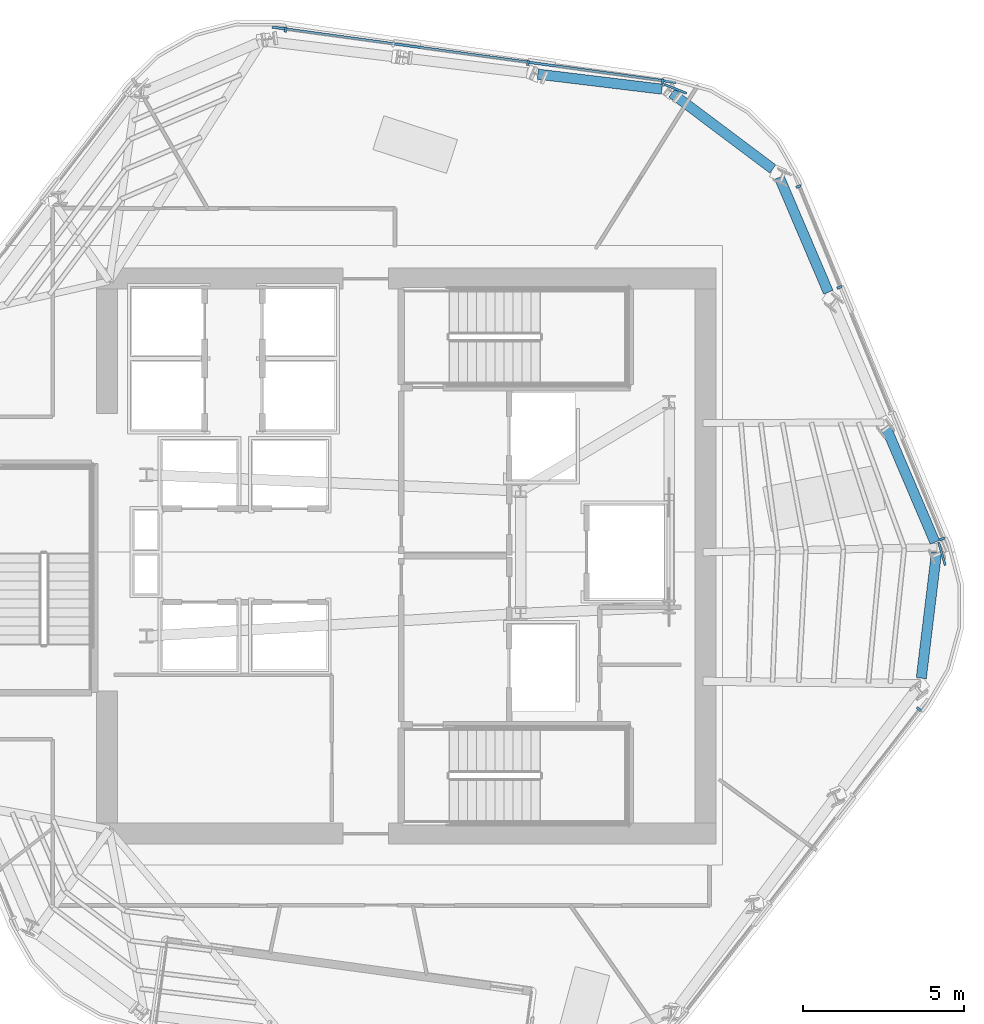
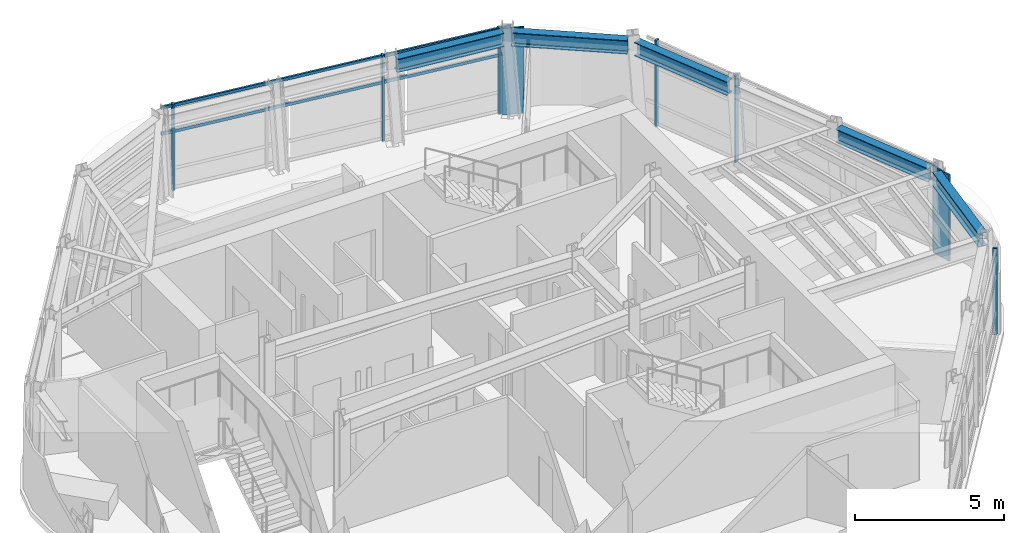
# One storey, part 4 of 12: 11 members, 5 beams, 3 elements without a shape of their own.
"""IFC4 building model written with IfcOpenShell, lengths in metres."""

from ifc_helpers import new_model, si_unit, direction, frame, origin, origin_2d, place, context, subcontext, project, spatial, rectangle, i_section, extrude, material, layer, layer_set, material_profile, profile_set, type_object, element, aggregate, save


model = new_model("IFC4")

# Units and contexts
model_context = context("Model", 3, precision=1e-05, world=origin(), true_north=direction((0.0, 1.0)))
body_context = subcontext(model_context, "Body", "Model", "MODEL_VIEW")
ifc_project = project(units=[si_unit("LENGTHUNIT", "METRE"), si_unit("AREAUNIT", "SQUARE_METRE"), si_unit("VOLUMEUNIT", "CUBIC_METRE"), si_unit("PLANEANGLEUNIT", "RADIAN"), si_unit("MASSUNIT", "GRAM", prefix="KILO")], contexts=[model_context])

# Site, building, storey
site_placement = place(None, origin())
site = spatial("IfcSite", under=ifc_project, at=site_placement, CompositionType="ELEMENT")
building_placement = place(site_placement, origin())
building = spatial("IfcBuilding", under=site, at=building_placement, Name="Valkerne Bourse Tower", CompositionType="ELEMENT")
storey_placement = place(building_placement, frame((0.0, 0.0, 247.39990234375)))
storey = spatial("IfcBuildingStorey", under=building, at=storey_placement, Name="L63", CompositionType="ELEMENT", Elevation=247.39990234375)

# Beams
ifc_material_1 = material(Name="Steel ASTM A992", Category="steel")
ifc_material_profile_1 = material_profile(ifc_material_1, i_section(OverallWidth=0.31494140625, OverallDepth=0.5537109375, WebThickness=0.0166015625, FlangeThickness=0.026123046875, FilletRadius=0.020263671875, at=origin_2d()), Name="W21X132")
ifc_profile_set_1 = profile_set([ifc_material_profile_1], Name="Steel ASTM A992")
beam_type = type_object("IfcBeamType", Name="BM-W21X132", PredefinedType="BEAM", material=ifc_profile_set_1)
beam_1_placement = place(storey_placement, frame((54.7294921875, 41.35009765625, 3.26318359375), z_axis=(-0.992760006473, 0.120114818186, 0.0), x_axis=(-0.120114818186, -0.992760006473, 0.0)))
element("IfcBeam", 1, at=beam_1_placement, inside=storey, type_object=beam_type, Name="L63 Hexagonal Spandrel Ring Beam 00", PredefinedType="BEAM", context=body_context, shape_type="SweptSolid", body=[
    extrude(i_section(OverallWidth=0.31494140625, OverallDepth=0.5537109375, WebThickness=0.0166015625, FlangeThickness=0.026123046875, FilletRadius=0.020263671875, at=origin_2d()), origin(), (0.0, 0.0, 1.0), 3.8720703125),
])
beam_2_placement = place(storey_placement, frame((62.76806640625, 23.095703125, 3.26318359375), z_axis=(0.120150744567, 0.992755659052, 0.0), x_axis=(-0.992755659052, 0.120150744567, 0.0)))
element("IfcBeam", 2, at=beam_2_placement, inside=storey, type_object=beam_type, Name="L63 Hexagonal Spandrel Ring Beam 19", PredefinedType="BEAM", context=body_context, shape_type="SweptSolid", body=[
    extrude(i_section(OverallWidth=0.31494140625, OverallDepth=0.5537109375, WebThickness=0.0166015625, FlangeThickness=0.026123046875, FilletRadius=0.020263671875, at=origin_2d()), origin(), (0.0, 0.0, 1.0), 3.91552734375),
])
beam_3_placement = place(storey_placement, frame((63.192138671875, 27.30810546875, 3.26318359375), z_axis=(-0.392343371279, 0.919818829451, 0.0), x_axis=(-0.919818829451, -0.392343371279, 0.0)))
element("IfcBeam", 3, at=beam_3_placement, inside=storey, type_object=beam_type, Name="L63 Hexagonal Spandrel Ring Beam 20", PredefinedType="BEAM", context=body_context, shape_type="SweptSolid", body=[
    extrude(i_section(OverallWidth=0.31494140625, OverallDepth=0.5537109375, WebThickness=0.0166015625, FlangeThickness=0.026123046875, FilletRadius=0.020263671875, at=origin_2d()), origin(), (0.0, 0.0, 1.0), 3.871826171875),
])
beam_4_placement = place(storey_placement, frame((59.88720703125, 35.056640625, 3.26318359375), z_axis=(-0.392373962855, 0.919805780191, 0.0), x_axis=(-0.919805780191, -0.392373962855, 0.0)))
element("IfcBeam", 4, at=beam_4_placement, inside=storey, type_object=beam_type, Name="L63 Hexagonal Spandrel Ring Beam 22", PredefinedType="BEAM", context=body_context, shape_type="SweptSolid", body=[
    extrude(i_section(OverallWidth=0.31494140625, OverallDepth=0.5537109375, WebThickness=0.0166015625, FlangeThickness=0.026123046875, FilletRadius=0.020263671875, at=origin_2d()), origin(), (0.0, 0.0, 1.0), 3.8720703125),
])
beam_5_placement = place(storey_placement, frame((58.165283203125, 38.876708984375, 3.26318359375), z_axis=(-0.799693112572, 0.600408965377, 0.0), x_axis=(-0.600408965377, -0.799693112572, 0.0)))
element("IfcBeam", 5, at=beam_5_placement, inside=storey, type_object=beam_type, Name="L63 Hexagonal Spandrel Ring Beam 23", PredefinedType="BEAM", context=body_context, shape_type="SweptSolid", body=[
    extrude(i_section(OverallWidth=0.31494140625, OverallDepth=0.5537109375, WebThickness=0.0166015625, FlangeThickness=0.026123046875, FilletRadius=0.020263671875, at=origin_2d()), origin(), (0.0, 0.0, 1.0), 3.915283203125),
])

# Curtain wall, members
ifc_material_2 = material(Name="Aluminium AA 6063-T6", Category="aluminium")
ifc_layer = layer(ifc_material_2, 0.239990234375)
ifc_layer_set = layer_set([ifc_layer], Name="Aluminium AA 6063-T6")
curtain_wall_type = type_object("IfcCurtainWallType", Name="CW-04", PredefinedType="NOTDEFINED", material=ifc_layer_set)
curtain_wall_1_placement = place(storey_placement, origin())
curtain_wall_1 = element("IfcCurtainWall", 6, at=curtain_wall_1_placement, inside=storey, type_object=curtain_wall_type, Name="L63 Hexagonal Stick Curtain Wall Face 1", PredefinedType="NOTDEFINED")
ifc_material_profile_2 = material_profile(ifc_material_2, rectangle(XDim=0.074951171875, YDim=0.159912109375, at=origin_2d()), Name="CWM-75X160")
ifc_profile_set_2 = profile_set([ifc_material_profile_2], Name="Aluminium AA 6063-T6")
member_type_1 = type_object("IfcMemberType", Name="CW-MUL-160X75", PredefinedType="MULLION", material=ifc_profile_set_2)
member_1_placement = place(storey_placement, frame((54.752197265625, 41.594482421875, 0.0), z_axis=(0.0, 0.0, 1.0), x_axis=(-0.990749232021, 0.135705413488, 0.0)))
member_1 = element("IfcMember", 7, at=member_1_placement, type_object=member_type_1, Name="CW-L63-F1 Jamb Mullion 00A", PredefinedType="MULLION", context=body_context, shape_type="SweptSolid", body=[
    extrude(rectangle(XDim=0.074951171875, YDim=0.159912109375, at=origin_2d()), origin(), (0.0, 0.0, 1.0), 3.5400390625),
])
member_2_placement = place(storey_placement, frame((50.5791015625, 42.166259765625, 0.0), z_axis=(0.0, 0.0, 1.0), x_axis=(-0.990748794787, 0.135708605577, 0.0)))
member_2 = element("IfcMember", 8, at=member_2_placement, type_object=member_type_1, Name="CW-L63-F1 Jamb Mullion 01A", PredefinedType="MULLION", context=body_context, shape_type="SweptSolid", body=[
    extrude(rectangle(XDim=0.074951171875, YDim=0.159912109375, at=origin_2d()), origin(), (0.0, 0.0, 1.0), 3.5400390625),
])
member_3_placement = place(storey_placement, frame((43.0654296875, 43.1953125, 0.0), z_axis=(0.0, 0.0, 1.0), x_axis=(-0.990745602352, 0.1357319101, 0.0)))
member_3 = element("IfcMember", 9, at=member_3_placement, type_object=member_type_1, Name="CW-L63-F1 Jamb Mullion 02B", PredefinedType="MULLION", context=body_context, shape_type="SweptSolid", body=[
    extrude(rectangle(XDim=0.074951171875, YDim=0.159912109375, at=origin_2d()), origin(), (0.0, 0.0, 1.0), 3.5400390625),
])

# Curtain wall, member
curtain_wall_2_placement = place(storey_placement, origin())
curtain_wall_2 = element("IfcCurtainWall", 10, at=curtain_wall_2_placement, inside=storey, type_object=curtain_wall_type, Name="L63 Hexagonal Stick Curtain Wall Face 5", PredefinedType="NOTDEFINED")
member_4_placement = place(storey_placement, frame((62.69287109375, 22.136474609375, 0.0), z_axis=(0.0, 0.0, 1.0), x_axis=(0.612904600679, 0.790156915091, 0.0)))
member_4 = element("IfcMember", 11, at=member_4_placement, type_object=member_type_1, Name="CW-L63-F5 Jamb Mullion 02B", PredefinedType="MULLION", context=body_context, shape_type="SweptSolid", body=[
    extrude(rectangle(XDim=0.074951171875, YDim=0.159912109375, at=origin_2d()), origin(), (0.0, 0.0, 1.0), 3.5400390625),
])
aggregate(curtain_wall_2, [member_4])

# Curtain wall, members
curtain_wall_3_placement = place(storey_placement, origin())
curtain_wall_3 = element("IfcCurtainWall", 12, at=curtain_wall_3_placement, inside=storey, type_object=curtain_wall_type, Name="L63 Hexagonal Stick Curtain Wall Face 6", PredefinedType="NOTDEFINED")
member_5_placement = place(storey_placement, frame((63.415283203125, 27.410400390625, 0.0), z_axis=(0.0, 0.0, 1.0), x_axis=(-0.377853386726, 0.925865442783, 0.0)))
member_5 = element("IfcMember", 13, at=member_5_placement, type_object=member_type_1, Name="CW-L63-F6 Jamb Mullion 00A", PredefinedType="MULLION", context=body_context, shape_type="SweptSolid", body=[
    extrude(rectangle(XDim=0.074951171875, YDim=0.159912109375, at=origin_2d()), origin(), (0.0, 0.0, 1.0), 3.5400390625),
])
member_6_placement = place(storey_placement, frame((60.232421875, 35.2099609375, 0.0), z_axis=(0.0, 0.0, 1.0), x_axis=(-0.377824728737, 0.925877137829, 0.0)))
member_6 = element("IfcMember", 14, at=member_6_placement, type_object=member_type_1, Name="CW-L63-F6 Jamb Mullion 02A", PredefinedType="MULLION", context=body_context, shape_type="SweptSolid", body=[
    extrude(rectangle(XDim=0.074951171875, YDim=0.159912109375, at=origin_2d()), origin(), (0.0, 0.0, 1.0), 3.5400390625),
])
member_7_placement = place(storey_placement, frame((58.95849609375, 38.33203125, 0.0), z_axis=(0.0, 0.0, 1.0), x_axis=(-0.377824728737, 0.925877137829, 0.0)))
member_7 = element("IfcMember", 15, at=member_7_placement, type_object=member_type_1, Name="CW-L63-F6 Jamb Mullion 02B", PredefinedType="MULLION", context=body_context, shape_type="SweptSolid", body=[
    extrude(rectangle(XDim=0.074951171875, YDim=0.159912109375, at=origin_2d()), origin(), (0.0, 0.0, 1.0), 3.5400390625),
])
aggregate(curtain_wall_3, [member_5, member_6, member_7])

# Member
ifc_material_profile_3 = material_profile(ifc_material_2, rectangle(XDim=0.074951171875, YDim=0.1201171875, at=origin_2d()), Name="CWT-75X120")
ifc_profile_set_3 = profile_set([ifc_material_profile_3], Name="Aluminium AA 6063-T6")
member_type_2 = type_object("IfcMemberType", Name="CW-TRN-120X75", PredefinedType="USERDEFINED", material=ifc_profile_set_3)
member_8_placement = place(storey_placement, frame((55.171142578125, 41.557373046875, 2.400146484375), z_axis=(-0.990748391886, 0.135711546952, 0.0), x_axis=(-0.135711546952, -0.990748391886, 0.0)))
member_8 = element("IfcMember", 16, at=member_8_placement, type_object=member_type_2, Name="CW-L63-F1 Continuous Face Transom 3", ObjectType="TRANSOM", PredefinedType="USERDEFINED", context=body_context, shape_type="SweptSolid", body=[
    extrude(rectangle(XDim=0.074951171875, YDim=0.1201171875, at=origin_2d()), origin(), (0.0, 0.0, 1.0), 12.635986328125),
])

member_9_placement = place(storey_placement, frame((55.171142578125, 41.557373046875, 3.460205078125), z_axis=(-0.990748391886, 0.135711546952, 0.0), x_axis=(-0.135711546952, -0.990748391886, 0.0)))
member_9 = element("IfcMember", 17, at=member_9_placement, type_object=member_type_2, Name="CW-L63-F1 Continuous Face Transom 4", ObjectType="TRANSOM", PredefinedType="USERDEFINED", context=body_context, shape_type="SweptSolid", body=[
    extrude(rectangle(XDim=0.074951171875, YDim=0.1201171875, at=origin_2d()), origin(), (0.0, 0.0, 1.0), 12.635986328125),
])

aggregate(curtain_wall_1, [member_8, member_9, member_1, member_2, member_3])

# Members
ifc_material_3 = material(Name="Bronze Anodised Aluminium AA 6063-T6", Category="aluminium")
ifc_material_profile_4 = material_profile(ifc_material_3, rectangle(XDim=0.06494140625, YDim=0.75, at=origin_2d()), Name="FIN-65X750")
ifc_profile_set_4 = profile_set([ifc_material_profile_4], Name="Bronze Anodised Aluminium AA 6063-T6")
member_type_3 = type_object("IfcMemberType", Name="FIN-SOLAR-650", PredefinedType="USERDEFINED", material=ifc_profile_set_4)
for number, where, z_axis, x_axis, name in (
    (18, (55.14404296875, 41.359130859375, 0.004150390625), (0.0, 0.0, 1.0), (0.370982221723, 0.928639968538, 0.0), "L63 Bronze Anodised Solar Fin F1-00"),
    (19, (63.407470703125, 26.95361328125, 0.004150390625), (0.0, 0.0, 1.0), (0.961692793258, 0.274129479253, 0.0), "L63 Bronze Anodised Solar Fin F6-00"),
):
    element("IfcMember", number, at=place(storey_placement, frame(where, z_axis=z_axis, x_axis=x_axis)), inside=storey, type_object=member_type_3, Name=name, ObjectType="SOLAR_FIN", PredefinedType="USERDEFINED", context=body_context, shape_type="SweptSolid", body=[
        extrude(rectangle(XDim=0.06494140625, YDim=0.75, at=origin_2d()), origin(), (0.0, 0.0, 1.0), 3.531982421875),
    ])

save(model, "model.ifc")
